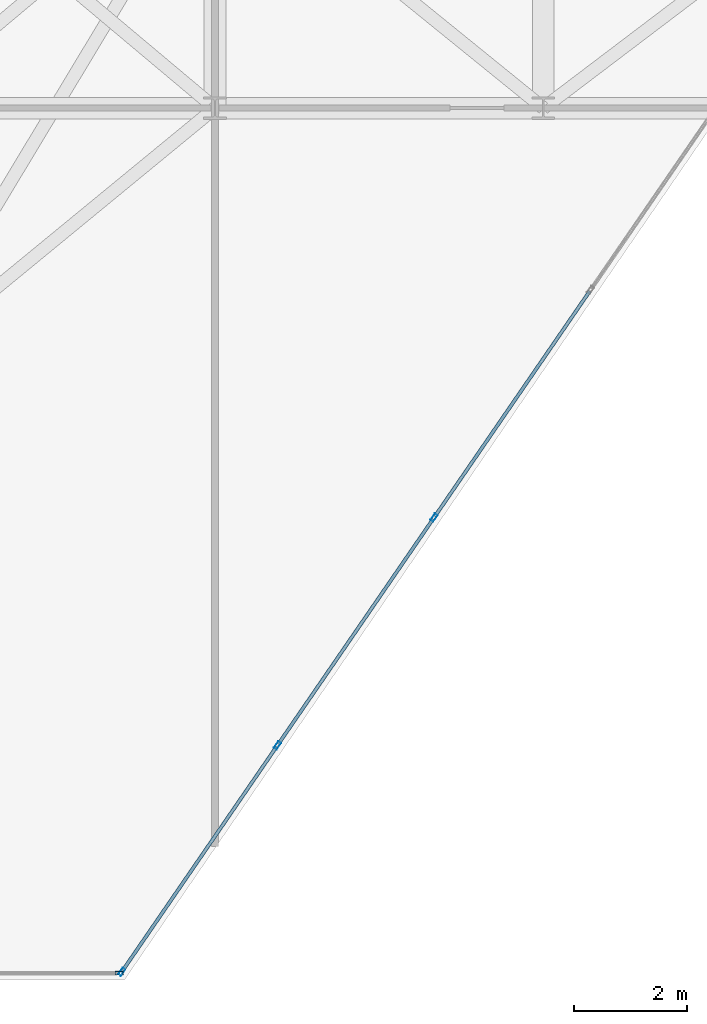
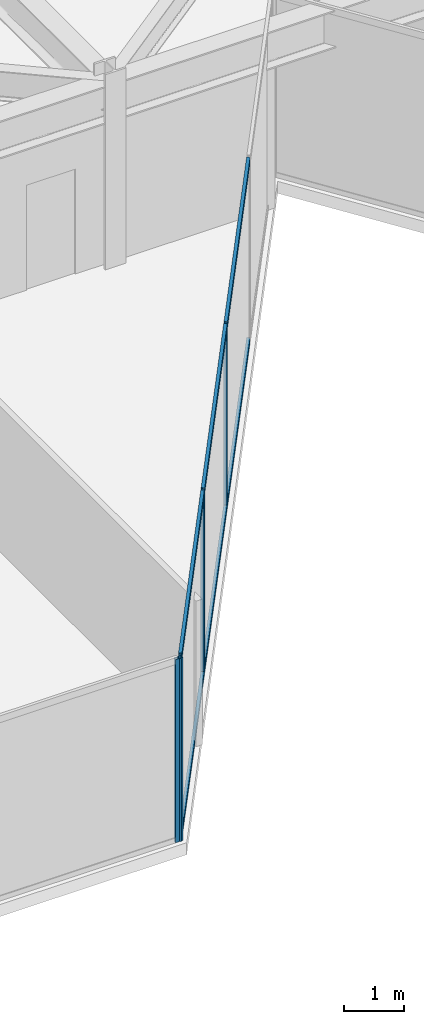
# One storey, part 4 of 21: 10 members, 2 elements without a shape of their own.
"""IFC4 building model written with IfcOpenShell, lengths in metres."""

import ifcopenshell
import ifcopenshell.guid

model = None  # the IFC model being written
_history = None  # IfcOwnerHistory: only IFC2X3 demands one
_inside = {}  # id of a spatial element -> (the spatial element, [elements in it])
_under = {}  # id of a project, library or spatial element -> (it, [spatial elements below it])
_declared = {}  # id of a project -> (the project, [libraries it declares])
_typed = {}  # id of a type object -> (the type object, [elements of that type])
_made_of = {}  # id of a material, layer set ... -> (it, [elements and type objects made of it])


def new_model(schema):
    """Start an empty IFC model of exactly this schema.

    Asked for "IFC4X3", IfcOpenShell would pick the latest addendum, in which some entities
    have other attributes; the version numbers below select the first issue.
    IFC2X3 requires an IfcOwnerHistory on every rooted entity: one is made here for all.
    """
    global model, _history
    if schema == "IFC4X3":
        model = ifcopenshell.file(schema_version=(4, 3, 0, 0))
    else:
        model = ifcopenshell.file(schema=schema)
    _inside.clear()
    _under.clear()
    _declared.clear()
    _typed.clear()
    _made_of.clear()
    _history = None
    if model.schema == "IFC2X3":
        org = make("IfcOrganization", Name="unknown")
        user = make(
            "IfcPersonAndOrganization",
            ThePerson=make("IfcPerson", FamilyName="unknown"),
            TheOrganization=org,
        )
        app = make(
            "IfcApplication",
            ApplicationDeveloper=org,
            Version="unknown",
            ApplicationFullName="unknown",
            ApplicationIdentifier="unknown",
        )
        _history = make(
            "IfcOwnerHistory",
            OwningUser=user,
            OwningApplication=app,
            ChangeAction="ADDED",
            CreationDate=0,
        )
    return model


def make(cls, **values):
    """One entity of the class cls with the attributes given. An attribute that is None is left unset."""
    return model.create_entity(
        cls, **{name: value for name, value in values.items() if value is not None}
    )


def rooted(cls, **values):
    """An entity with a GlobalId (a new one), such as an element, a storey or a relation."""
    return make(cls, GlobalId=ifcopenshell.guid.new(), OwnerHistory=_history, **values)


def si_unit(unit_type, name, prefix=None):
    """IfcSIUnit, for example si_unit("LENGTHUNIT", "METRE", prefix="MILLI")."""
    return make("IfcSIUnit", UnitType=unit_type, Prefix=prefix, Name=name)


def assignment(units):
    """IfcUnitAssignment: the units of a project."""
    return None if units is None else make("IfcUnitAssignment", Units=units)


def point(xyz):
    """IfcCartesianPoint."""
    return None if xyz is None else make("IfcCartesianPoint", Coordinates=xyz)


def direction(xyz):
    """IfcDirection."""
    return None if xyz is None else make("IfcDirection", DirectionRatios=xyz)


def frame(location, z_axis=None, x_axis=None):
    """IfcAxis2Placement3D, a coordinate frame: its origin and axes. An axis left out is left unset."""
    return make(
        "IfcAxis2Placement3D",
        Location=point(location),
        Axis=direction(z_axis),
        RefDirection=direction(x_axis),
    )


def frame_2d(location, x_axis=None):
    """IfcAxis2Placement2D, a coordinate frame in the plane: its origin and x axis."""
    return make(
        "IfcAxis2Placement2D", Location=point(location), RefDirection=direction(x_axis)
    )


def origin():
    """The frame at (0, 0, 0) with its axes left unset."""
    return frame((0.0, 0.0, 0.0))


def origin_2d():
    """The frame at (0, 0) in the plane with its x axis left unset."""
    return frame_2d((0.0, 0.0))


def place(relative_to, where):
    """IfcLocalPlacement: puts the frame where relative to a parent placement (None: the world)."""
    return make(
        "IfcLocalPlacement", PlacementRelTo=relative_to, RelativePlacement=where
    )


def context(
    kind, dimensions, precision=None, world=None, true_north=None, identifier=None
):
    """IfcGeometricRepresentationContext, for example the 3D "Model" context."""
    return make(
        "IfcGeometricRepresentationContext",
        ContextIdentifier=identifier,
        ContextType=kind,
        CoordinateSpaceDimension=dimensions,
        Precision=precision,
        WorldCoordinateSystem=world,
        TrueNorth=true_north,
    )


def subcontext(parent, identifier, kind, view, scale=None):
    """IfcGeometricRepresentationSubContext, for example "Body" below "Model"."""
    return make(
        "IfcGeometricRepresentationSubContext",
        ContextIdentifier=identifier,
        ContextType=kind,
        ParentContext=parent,
        TargetScale=scale,
        TargetView=view,
    )


def project(units=None, contexts=None):
    """IfcProject with its units and contexts."""
    return rooted(
        "IfcProject",
        Name="project",
        RepresentationContexts=contexts,
        UnitsInContext=assignment(units),
    )


def spatial(cls, under=None, at=None, **own):
    """A site, building, storey or space (cls), placed at a placement, below another one or the project."""
    s = rooted(cls, ObjectPlacement=at, **own)
    if under is not None:
        _under.setdefault(under.id(), (under, []))[1].append(s)
    return s


def profile(cls, at=None, kind="AREA", **sizes):
    """A parametric profile (cls). Its sizes go by their IFC names, for example OverallWidth=200.0."""
    return make(cls, ProfileType=kind, Position=at, **sizes)


def hollow_rectangle(**sizes):
    """IfcRectangleHollowProfileDef."""
    return profile("IfcRectangleHollowProfileDef", **sizes)


def extrude(swept, where, along, depth):
    """IfcExtrudedAreaSolid: the profile swept, set in the frame where, extruded along a direction by depth."""
    return make(
        "IfcExtrudedAreaSolid",
        SweptArea=swept,
        Position=where,
        ExtrudedDirection=direction(along),
        Depth=depth,
    )


def shape(context_of_items, identifier, shape_type, items):
    """IfcShapeRepresentation: the items that make up one representation, for example the "Body"."""
    return make(
        "IfcShapeRepresentation",
        ContextOfItems=context_of_items,
        RepresentationIdentifier=identifier,
        RepresentationType=shape_type,
        Items=items,
    )


def material(Name=None, Category=None):
    """IfcMaterial."""
    return make("IfcMaterial", Name=Name, Category=Category)


def layer(
    of_material, thickness, ventilated=None, Name=None, Category=None, Priority=None
):
    """IfcMaterialLayer: one layer of a wall or slab, of a material (None: an air gap)."""
    return make(
        "IfcMaterialLayer",
        Material=of_material,
        LayerThickness=thickness,
        IsVentilated=ventilated,
        Name=Name,
        Category=Category,
        Priority=Priority,
    )


def layer_set(layers, Name=None):
    """IfcMaterialLayerSet."""
    return make("IfcMaterialLayerSet", MaterialLayers=layers, LayerSetName=Name)


def material_profile(
    of_material, cross_section, Name=None, Category=None, Priority=None
):
    """IfcMaterialProfile: a cross section and its material."""
    return make(
        "IfcMaterialProfile",
        Name=Name,
        Material=of_material,
        Profile=cross_section,
        Priority=Priority,
        Category=Category,
    )


def profile_set(profiles, Name=None, composite=None):
    """IfcMaterialProfileSet."""
    return make(
        "IfcMaterialProfileSet",
        Name=Name,
        MaterialProfiles=profiles,
        CompositeProfile=composite,
    )


def made_of(thing, what):
    """Note that an element or type object is made of a material, layer set ...; save() writes the relation."""
    if what is not None:
        _made_of.setdefault(what.id(), (what, []))[1].append(thing)
    return thing


def type_object(cls, material=None, **own):
    """A type object (cls), such as IfcWallType, which elements share."""
    return made_of(rooted(cls, **own), material)


def element(
    cls,
    number,
    at=None,
    inside=None,
    cuts=None,
    type_object=None,
    material=None,
    context=None,
    identifier="Body",
    shape_type=None,
    held_by="IfcProductDefinitionShape",
    body=None,
    shapes=None,
    **own,
):
    """One element of the class cls, such as IfcWall. Its Tag is "e" and its number.

    at: its placement. inside: the storey or other place that contains it. cuts: it is an
    opening in that element (IfcRelVoidsElement). A single representation is given by context,
    identifier, shape_type and body (its items); several are given by shapes. held_by: the class
    of the entity that holds the representations. save() writes the other relations.
    """
    e = rooted(cls, Tag="e%d" % number, ObjectPlacement=at, **own)
    if body is not None:
        shapes = [shape(context, identifier, shape_type, body)]
    if shapes is not None:
        e.Representation = make(held_by, Representations=shapes)
    if inside is not None:
        _inside.setdefault(inside.id(), (inside, []))[1].append(e)
    if cuts is not None:
        rooted(
            "IfcRelVoidsElement", RelatingBuildingElement=cuts, RelatedOpeningElement=e
        )
    if type_object is not None:
        _typed.setdefault(type_object.id(), (type_object, []))[1].append(e)
    return made_of(e, material)


def aggregate(whole, parts):
    """IfcRelAggregates: a whole, such as a stair, and the parts it consists of."""
    return rooted("IfcRelAggregates", RelatingObject=whole, RelatedObjects=parts)


def save(model, path):
    """Write the relations noted so far, then the file.

    IfcRelAggregates (storeys below a building ...), IfcRelContainedInSpatialStructure (elements
    in a storey), IfcRelDefinesByType, IfcRelAssociatesMaterial and IfcRelDeclares: one each for
    every whole, place, type object, material and project.
    """
    for whole, parts in _under.values():
        aggregate(whole, parts)
    for where, things in _inside.values():
        rooted(
            "IfcRelContainedInSpatialStructure",
            RelatedElements=things,
            RelatingStructure=where,
        )
    for kind, things in _typed.values():
        rooted("IfcRelDefinesByType", RelatedObjects=things, RelatingType=kind)
    for what, things in _made_of.values():
        rooted("IfcRelAssociatesMaterial", RelatedObjects=things, RelatingMaterial=what)
    for by, libraries in _declared.values():
        rooted("IfcRelDeclares", RelatingContext=by, RelatedDefinitions=libraries)
    model.write(path)


model = new_model("IFC4")

# Units and contexts
model_context = context("Model", 3, precision=1e-05, world=origin(), true_north=direction((0.0, 1.0)))
body_context = subcontext(model_context, "Body", "Model", "MODEL_VIEW")
ifc_project = project(units=[si_unit("LENGTHUNIT", "METRE"), si_unit("AREAUNIT", "SQUARE_METRE"), si_unit("VOLUMEUNIT", "CUBIC_METRE"), si_unit("PLANEANGLEUNIT", "RADIAN"), si_unit("MASSUNIT", "GRAM", prefix="KILO")], contexts=[model_context])

# Site, building, storey
site_placement = place(None, origin())
site = spatial("IfcSite", under=ifc_project, at=site_placement, CompositionType="ELEMENT")
building_placement = place(site_placement, origin())
building = spatial("IfcBuilding", under=site, at=building_placement, Name="Kravanh Interchange Tower", CompositionType="ELEMENT")
storey_placement = place(building_placement, frame((0.0, 0.0, 208.5)))
storey = spatial("IfcBuildingStorey", under=building, at=storey_placement, Name="L50", CompositionType="ELEMENT", Elevation=208.5)

# Curtain wall, members
ifc_material_1 = material(Name="Anodised Bronze Aluminium", Category="aluminium")
ifc_layer = layer(ifc_material_1, 0.179931640625)
ifc_layer_set = layer_set([ifc_layer], Name="Unitised Curtain Wall System CW-Z3 Upper Office")
curtain_wall_type = type_object("IfcCurtainWallType", Name="Unitised Curtain Wall System CW-Z3 Upper Office", PredefinedType="NOTDEFINED", material=ifc_layer_set)
curtain_wall_1_placement = place(storey_placement, origin())
curtain_wall_1 = element("IfcCurtainWall", 1, at=curtain_wall_1_placement, inside=storey, type_object=curtain_wall_type, Name="L50 Unitised Curtain Wall CW-L50-04", PredefinedType="NOTDEFINED")
ifc_material_2 = material(Name="Anodised Bronze Aluminium", Category="aluminium")
ifc_material_profile_1 = material_profile(ifc_material_2, hollow_rectangle(XDim=0.06005859375, YDim=0.139892578125, WallThickness=0.00390625, at=origin_2d()), Name="ALU60X140X4")
ifc_profile_set_1 = profile_set([ifc_material_profile_1], Name="Anodised Bronze Aluminium")
member_type_1 = type_object("IfcMemberType", Name="Curtain Wall Mullion ALU60X140X4 Bronze", PredefinedType="MULLION", material=ifc_profile_set_1)
member_1_placement = place(storey_placement, frame((36.66845703125, 19.56591796875, 0.0), z_axis=(0.0, 0.0, 1.0), x_axis=(0.824042223035, -0.566528388217, 0.0)))
member_1 = element("IfcMember", 2, at=member_1_placement, type_object=member_type_1, Name="CW-Z3 mullion 3", PredefinedType="MULLION", context=body_context, shape_type="SweptSolid", body=[
    extrude(hollow_rectangle(XDim=0.06005859375, YDim=0.139892578125, WallThickness=0.00390625, at=origin_2d()), origin(), (0.0, 0.0, 1.0), 3.7548828125),
])
member_2_placement = place(storey_placement, frame((33.902587890625, 15.54296875, 0.0), z_axis=(0.0, 0.0, 1.0), x_axis=(0.824042223035, -0.566528388217, 0.0)))
member_2 = element("IfcMember", 3, at=member_2_placement, type_object=member_type_1, Name="CW-Z3 mullion 4", PredefinedType="MULLION", context=body_context, shape_type="SweptSolid", body=[
    extrude(hollow_rectangle(XDim=0.06005859375, YDim=0.139892578125, WallThickness=0.00390625, at=origin_2d()), origin(), (0.0, 0.0, 1.0), 3.7548828125),
])
member_3_placement = place(storey_placement, frame((31.15380859375, 11.544677734375, 0.0), z_axis=(0.0, 0.0, 1.0), x_axis=(0.824042223035, -0.566528388217, 0.0)))
member_3 = element("IfcMember", 4, at=member_3_placement, type_object=member_type_1, Name="CW-Z3 mullion 5", PredefinedType="MULLION", context=body_context, shape_type="SweptSolid", body=[
    extrude(hollow_rectangle(XDim=0.06005859375, YDim=0.139892578125, WallThickness=0.00390625, at=origin_2d()), origin(), (0.0, 0.0, 1.0), 3.7548828125),
])

# Curtain wall, member
curtain_wall_2_placement = place(storey_placement, origin())
curtain_wall_2 = element("IfcCurtainWall", 5, at=curtain_wall_2_placement, inside=storey, type_object=curtain_wall_type, Name="L50 Unitised Curtain Wall CW-L50-05", PredefinedType="NOTDEFINED")
member_4_placement = place(storey_placement, frame((31.10693359375, 11.52001953125, 0.0), z_axis=(0.0, 0.0, 1.0), x_axis=(0.0, -1.0, 0.0)))
member_4 = element("IfcMember", 6, at=member_4_placement, type_object=member_type_1, Name="CW-Z3 mullion 1", PredefinedType="MULLION", context=body_context, shape_type="SweptSolid", body=[
    extrude(hollow_rectangle(XDim=0.06005859375, YDim=0.139892578125, WallThickness=0.00390625, at=origin_2d()), origin(), (0.0, 0.0, 1.0), 3.7548828125),
])
aggregate(curtain_wall_2, [member_4])

# Member
ifc_material_3 = material(Name="Anodised Bronze Aluminium", Category="aluminium")
ifc_material_profile_2 = material_profile(ifc_material_3, hollow_rectangle(XDim=0.06005859375, YDim=0.139892578125, WallThickness=0.00390625, at=origin_2d()), Name="ALU60X140X4")
ifc_profile_set_2 = profile_set([ifc_material_profile_2], Name="Anodised Bronze Aluminium")
member_type_2 = type_object("IfcMemberType", Name="Curtain Wall Transom ALU60X140X4 Bronze", PredefinedType="USERDEFINED", material=ifc_profile_set_2)
member_5_placement = place(storey_placement, frame((39.417236328125, 23.564208984375, 0.030029296875), z_axis=(-0.566503037389, -0.824059651135, 0.0), x_axis=(0.824059651135, -0.566503037389, 0.0)))
member_5 = element("IfcMember", 7, at=member_5_placement, type_object=member_type_2, Name="CW-Z3 transom 2.1", ObjectType="TRANSOM", PredefinedType="USERDEFINED", context=body_context, shape_type="SweptSolid", body=[
    extrude(hollow_rectangle(XDim=0.06005859375, YDim=0.139892578125, WallThickness=0.00390625, at=origin_2d()), origin(), (0.0, 0.0, 1.0), 4.822021484375),
])

member_6_placement = place(storey_placement, frame((39.417236328125, 23.564208984375, 3.72509765625), z_axis=(-0.566503037389, -0.824059651135, 0.0), x_axis=(0.824059651135, -0.566503037389, 0.0)))
member_6 = element("IfcMember", 8, at=member_6_placement, type_object=member_type_2, Name="CW-Z3 transom 2.2", ObjectType="TRANSOM", PredefinedType="USERDEFINED", context=body_context, shape_type="SweptSolid", body=[
    extrude(hollow_rectangle(XDim=0.06005859375, YDim=0.139892578125, WallThickness=0.00390625, at=origin_2d()), origin(), (0.0, 0.0, 1.0), 4.822021484375),
])

member_7_placement = place(storey_placement, frame((36.6513671875, 19.541259765625, 0.030029296875), z_axis=(-0.566503037389, -0.824059651135, 0.0), x_axis=(0.824059651135, -0.566503037389, 0.0)))
member_7 = element("IfcMember", 9, at=member_7_placement, type_object=member_type_2, Name="CW-Z3 transom 3.1", ObjectType="TRANSOM", PredefinedType="USERDEFINED", context=body_context, shape_type="SweptSolid", body=[
    extrude(hollow_rectangle(XDim=0.06005859375, YDim=0.139892578125, WallThickness=0.00390625, at=origin_2d()), origin(), (0.0, 0.0, 1.0), 4.822021484375),
])

member_8_placement = place(storey_placement, frame((36.6513671875, 19.541259765625, 3.72509765625), z_axis=(-0.566503037389, -0.824059651135, 0.0), x_axis=(0.824059651135, -0.566503037389, 0.0)))
member_8 = element("IfcMember", 10, at=member_8_placement, type_object=member_type_2, Name="CW-Z3 transom 3.2", ObjectType="TRANSOM", PredefinedType="USERDEFINED", context=body_context, shape_type="SweptSolid", body=[
    extrude(hollow_rectangle(XDim=0.06005859375, YDim=0.139892578125, WallThickness=0.00390625, at=origin_2d()), origin(), (0.0, 0.0, 1.0), 4.822021484375),
])

member_9_placement = place(storey_placement, frame((33.8857421875, 15.518310546875, 0.030029296875), z_axis=(-0.566518012045, -0.824049356549, 0.0), x_axis=(0.824049356549, -0.566518012045, 0.0)))
member_9 = element("IfcMember", 11, at=member_9_placement, type_object=member_type_2, Name="CW-Z3 transom 4.1", ObjectType="TRANSOM", PredefinedType="USERDEFINED", context=body_context, shape_type="SweptSolid", body=[
    extrude(hollow_rectangle(XDim=0.06005859375, YDim=0.139892578125, WallThickness=0.00390625, at=origin_2d()), origin(), (0.0, 0.0, 1.0), 4.792236328125),
])

member_10_placement = place(storey_placement, frame((33.8857421875, 15.518310546875, 3.72509765625), z_axis=(-0.566518012045, -0.824049356549, 0.0), x_axis=(0.824049356549, -0.566518012045, 0.0)))
member_10 = element("IfcMember", 12, at=member_10_placement, type_object=member_type_2, Name="CW-Z3 transom 4.2", ObjectType="TRANSOM", PredefinedType="USERDEFINED", context=body_context, shape_type="SweptSolid", body=[
    extrude(hollow_rectangle(XDim=0.06005859375, YDim=0.139892578125, WallThickness=0.00390625, at=origin_2d()), origin(), (0.0, 0.0, 1.0), 4.792236328125),
])

aggregate(curtain_wall_1, [member_1, member_2, member_3, member_5, member_6, member_7, member_8, member_9, member_10])

save(model, "model.ifc")
